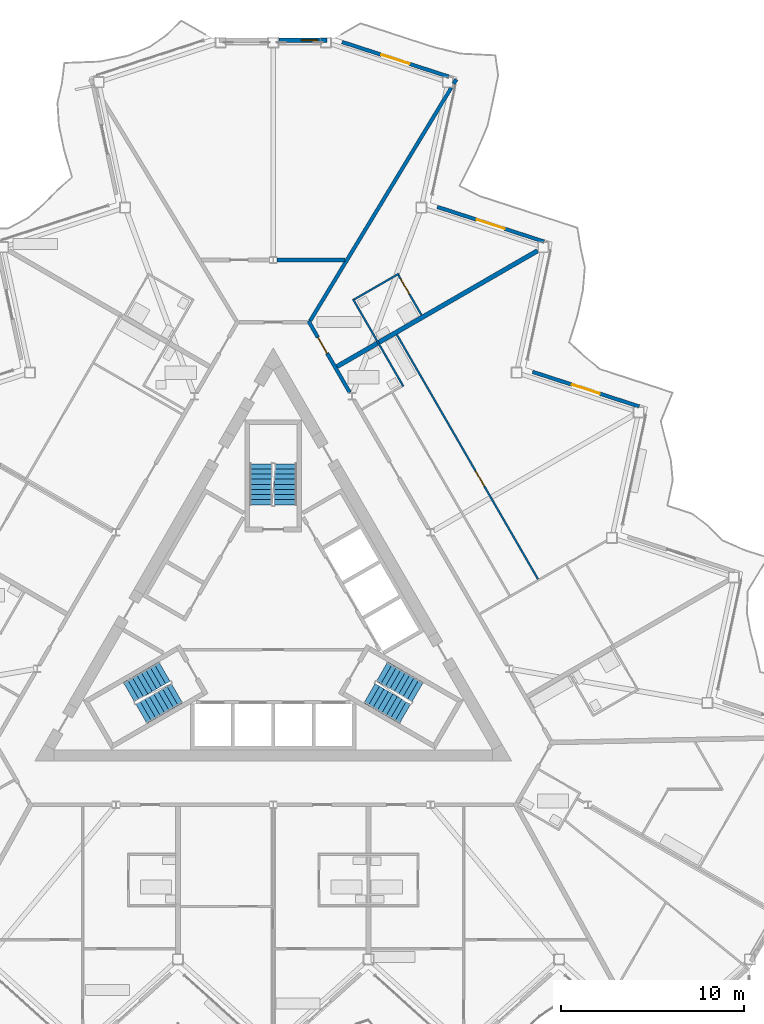
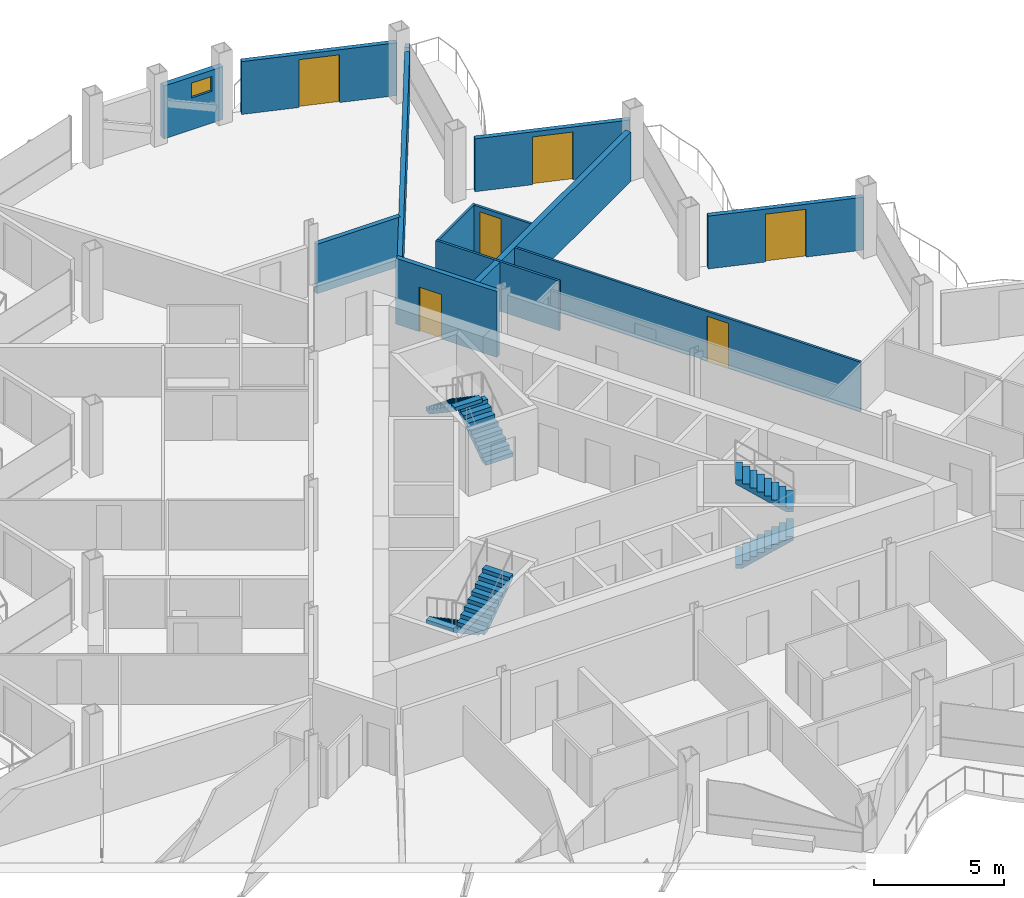
# One storey, part 19 of 27: 13 walls, 6 doors, 6 stair flights, 1 window, 7 openings, 3 elements without a shape of their own.
"""IFC4 building model written with IfcOpenShell, lengths in metres."""

from ifc_helpers import new_model, si_unit, direction, frame, frame_2d, origin, place, context, subcontext, project, spatial, polyline, rectangle, outline, extrude, material, layer, layer_set, type_object, element, fill, aggregate, save


model = new_model("IFC4")

# Units and contexts
model_context = context("Model", 3, precision=1e-05, world=origin(), true_north=direction((0.0, 1.0)))
body_context = subcontext(model_context, "Body", "Model", "MODEL_VIEW")
ifc_project = project(units=[si_unit("LENGTHUNIT", "METRE"), si_unit("AREAUNIT", "SQUARE_METRE"), si_unit("VOLUMEUNIT", "CUBIC_METRE"), si_unit("PLANEANGLEUNIT", "RADIAN"), si_unit("MASSUNIT", "GRAM", prefix="KILO")], contexts=[model_context])

# Site, building, storey
site_placement = place(None, origin())
site = spatial("IfcSite", under=ifc_project, at=site_placement, CompositionType="ELEMENT")
building_placement = place(site_placement, origin())
building = spatial("IfcBuilding", under=site, at=building_placement, Name="Cormorant Prow Tower", CompositionType="ELEMENT")
storey_placement = place(building_placement, frame((0.0, 0.0, 318.800048828125)))
storey = spatial("IfcBuildingStorey", under=building, at=storey_placement, Name="L70", CompositionType="ELEMENT", Elevation=318.800048828125)

# Wall, opening, door
ifc_material_1 = material(Name="Gypsum board corridor wall")
ifc_layer_1 = layer(ifc_material_1, 0.199951171875)
ifc_layer_set_1 = layer_set([ifc_layer_1], Name="Gypsum board corridor wall")
wall_type_1 = type_object("IfcWallType", Name="Corridor wall 200", PredefinedType="PARTITIONING", material=ifc_layer_set_1)
wall_1_placement = place(storey_placement, frame((1.9130859375, 16.497802734375, 0.0), z_axis=(0.0, 0.0, 1.0), x_axis=(0.499950370306, -0.866054055606, 0.0)))
wall_1 = element("IfcWall", 1, at=wall_1_placement, inside=storey, type_object=wall_type_1, Name="Corridor wall", PredefinedType="PARTITIONING", context=body_context, shape_type="SweptSolid", body=[
    extrude(rectangle(XDim=4.5126953125, YDim=0.199951171875, at=frame_2d((2.25634765625, 0.0))), origin(), (0.0, 0.0, 1.0), 3.099853515625),
])
opening_1_placement = place(wall_1_placement, frame((1.053466796875, 0.0, 0.0)))
opening_1 = element("IfcOpeningElement", 2, at=opening_1_placement, cuts=wall_1, Name="Opening L70-F31", PredefinedType="OPENING", context=body_context, shape_type="SweptSolid", body=[
    extrude(rectangle(XDim=1.0, YDim=2.10009765625, at=frame_2d((0.5, 1.050048828125))), frame((0.0, 0.10986328125, 0.0), z_axis=(0.0, -1.0, 0.0), x_axis=(1.0, 0.0, 0.0)), (0.0, 0.0, 1.0), 0.219970703125),
])
ifc_material_2 = material(Name="Timber door leaf", Category="wood")
door_type_1 = type_object("IfcDoorType", Name="Flat or room entrance door 1000x2100", OperationType="NOTDEFINED", PredefinedType="DOOR", material=ifc_material_2)
door_1_placement = place(opening_1_placement, origin())
door_1 = element("IfcDoor", 3, at=door_1_placement, inside=storey, type_object=door_type_1, Name="Studio living, kitchen and sleeping room door", OperationType="SINGLE_SWING_RIGHT", OverallHeight=2.10009765625, OverallWidth=1.0, PredefinedType="DOOR", context=body_context, shape_type="SweptSolid", body=[
    extrude(rectangle(XDim=1.0, YDim=2.10009765625, at=frame_2d((0.5, 1.050048828125))), frame((0.0, 0.02490234375, 0.0), z_axis=(0.0, -1.0, 0.0), x_axis=(1.0, 0.0, 0.0)), (0.0, 0.0, 1.0), 0.050048828125),
])
fill(opening_1, door_1)

# Walls
ifc_material_3 = material(Name="Gypsum board demising wall")
ifc_layer_2 = layer(ifc_material_3, 0.199951171875)
ifc_layer_set_2 = layer_set([ifc_layer_2], Name="Gypsum board demising wall")
wall_type_2 = type_object("IfcWallType", Name="Demising wall 200", PredefinedType="PARTITIONING", material=ifc_layer_set_2)
wall_2_placement = place(storey_placement, frame((2.014892578125, 16.49658203125, 0.0), z_axis=(0.0, 0.0, 1.0), x_axis=(0.517779253395, 0.855514257482, 0.0)))
element("IfcWall", 4, at=wall_2_placement, inside=storey, type_object=wall_type_2, Name="Demising wall", PredefinedType="PARTITIONING", context=body_context, shape_type="SweptSolid", body=[
    extrude(rectangle(XDim=14.853759765625, YDim=0.199951171875, at=frame_2d((7.4267578125, 0.0))), origin(), (0.0, 0.0, 1.0), 2.330078125),
])
wall_3_placement = place(storey_placement, frame((0.207763671875, 19.81103515625, 0.0), z_axis=(0.0, 0.0, 1.0), x_axis=(1.0, 0.0, 0.0)))
element("IfcWall", 5, at=wall_3_placement, inside=storey, type_object=wall_type_2, Name="Demising wall", PredefinedType="PARTITIONING", context=body_context, shape_type="SweptSolid", body=[
    extrude(rectangle(XDim=3.71826171875, YDim=0.199951171875, at=frame_2d((1.859130859375, 0.0))), origin(), (0.0, 0.0, 1.0), 2.330078125),
])
wall_4_placement = place(storey_placement, frame((9.83740234375, 29.421630859375, 0.0), z_axis=(0.0, 0.0, 1.0), x_axis=(0.517419338909, 0.855731983581, 0.0)))
element("IfcWall", 6, at=wall_4_placement, inside=storey, type_object=wall_type_2, Name="Demising wall", PredefinedType="PARTITIONING", context=body_context, shape_type="SweptSolid", body=[
    extrude(rectangle(XDim=0.2822265625, YDim=0.199951171875, at=frame_2d((0.14111328125, 0.0))), origin(), (0.0, 0.0, 1.0), 2.330078125),
])

# Wall, opening, door
ifc_material_4 = material(Name="Gypsum board partition")
ifc_layer_3 = layer(ifc_material_4, 0.10009765625)
ifc_layer_set_3 = layer_set([ifc_layer_3], Name="Gypsum board partition")
wall_type_3 = type_object("IfcWallType", Name="Internal partition 100", PredefinedType="PARTITIONING", material=ifc_layer_set_3)
wall_5_placement = place(storey_placement, frame((6.73974609375, 15.7392578125, 0.0), z_axis=(0.0, 0.0, 1.0), x_axis=(0.499995022685, -0.86602827742, 0.0)))
wall_5 = element("IfcWall", 7, at=wall_5_placement, inside=storey, type_object=wall_type_3, Name="Internal partition", PredefinedType="PARTITIONING", context=body_context, shape_type="SweptSolid", body=[
    extrude(rectangle(XDim=15.403564453125, YDim=0.10009765625, at=frame_2d((7.70166015625, 0.0))), origin(), (0.0, 0.0, 1.0), 2.330078125),
])
opening_2_placement = place(wall_5_placement, frame((8.58203125, 0.0, 0.0)))
opening_2 = element("IfcOpeningElement", 8, at=opening_2_placement, cuts=wall_5, Name="Opening L70-F28", PredefinedType="OPENING", context=body_context, shape_type="SweptSolid", body=[
    extrude(rectangle(XDim=0.949951171875, YDim=2.10009765625, at=frame_2d((0.47509765625, 1.050048828125))), frame((0.0, 0.06005859375, 0.0), z_axis=(0.0, -1.0, 0.0), x_axis=(1.0, 0.0, 0.0)), (0.0, 0.0, 1.0), 0.1201171875),
])
ifc_material_5 = material(Name="Timber door leaf", Category="wood")
door_type_2 = type_object("IfcDoorType", Name="Bathroom door 950x2100", OperationType="NOTDEFINED", PredefinedType="DOOR", material=ifc_material_5)
door_2_placement = place(opening_2_placement, origin())
door_2 = element("IfcDoor", 9, at=door_2_placement, inside=storey, type_object=door_type_2, Name="Kitchen door", OperationType="SINGLE_SWING_LEFT", OverallHeight=2.10009765625, OverallWidth=0.949951171875, PredefinedType="DOOR", context=body_context, shape_type="SweptSolid", body=[
    extrude(rectangle(XDim=0.949951171875, YDim=2.10009765625, at=frame_2d((0.47509765625, 1.050048828125))), frame((0.0, 0.02490234375, 0.0), z_axis=(0.0, -1.0, 0.0), x_axis=(1.0, 0.0, 0.0)), (0.0, 0.0, 1.0), 0.050048828125),
])
fill(opening_2, door_2)

# Walls
wall_6_placement = place(storey_placement, frame((4.348876953125, 17.6787109375, 0.0), z_axis=(0.0, 0.0, 1.0), x_axis=(0.49997732567, -0.866038494419, 0.0)))
element("IfcWall", 10, at=wall_6_placement, inside=storey, type_object=wall_type_3, Name="Internal partition", PredefinedType="PARTITIONING", context=body_context, shape_type="SweptSolid", body=[
    extrude(rectangle(XDim=5.500244140625, YDim=0.10009765625, at=frame_2d((2.75, 0.0))), origin(), (0.0, 0.0, 1.0), 2.330078125),
])
wall_7_placement = place(storey_placement, frame((4.417236328125, 17.660400390625, 0.0), z_axis=(0.0, 0.0, 1.0), x_axis=(0.866034573852, 0.49998411664, 0.0)))
element("IfcWall", 11, at=wall_7_placement, inside=storey, type_object=wall_type_3, Name="Internal partition", PredefinedType="PARTITIONING", context=body_context, shape_type="SweptSolid", body=[
    extrude(rectangle(XDim=2.7998046875, YDim=0.10009765625, at=frame_2d((1.39990234375, 0.0))), origin(), (0.0, 0.0, 1.0), 2.330078125),
])

# Wall, opening, door
wall_8_placement = place(storey_placement, frame((6.82373046875, 18.991943359375, 0.0), z_axis=(0.0, 0.0, 1.0), x_axis=(0.50001820224, -0.866014894461, 0.0)))
wall_8 = element("IfcWall", 12, at=wall_8_placement, inside=storey, type_object=wall_type_3, Name="Internal partition", PredefinedType="PARTITIONING", context=body_context, shape_type="SweptSolid", body=[
    extrude(rectangle(XDim=2.52490234375, YDim=0.10009765625, at=frame_2d((1.262451171875, 0.0))), origin(), (0.0, 0.0, 1.0), 2.330078125),
])
opening_3_placement = place(wall_8_placement, frame((0.25, 0.0, 0.0)))
opening_3 = element("IfcOpeningElement", 13, at=opening_3_placement, cuts=wall_8, Name="Opening L70-F32", PredefinedType="OPENING", context=body_context, shape_type="SweptSolid", body=[
    extrude(rectangle(XDim=0.949951171875, YDim=2.10009765625, at=frame_2d((0.47509765625, 1.050048828125))), frame((0.0, 0.06005859375, 0.0), z_axis=(0.0, -1.0, 0.0), x_axis=(1.0, 0.0, 0.0)), (0.0, 0.0, 1.0), 0.1201171875),
])
door_3_placement = place(opening_3_placement, origin())
door_3 = element("IfcDoor", 14, at=door_3_placement, inside=storey, type_object=door_type_2, Name="Studio living, kitchen and sleeping room door", OperationType="SINGLE_SWING_LEFT", OverallHeight=2.10009765625, OverallWidth=0.949951171875, PredefinedType="DOOR", context=body_context, shape_type="SweptSolid", body=[
    extrude(rectangle(XDim=0.949951171875, YDim=2.10009765625, at=frame_2d((0.47509765625, 1.050048828125))), frame((0.0, 0.02490234375, 0.0), z_axis=(0.0, -1.0, 0.0), x_axis=(1.0, 0.0, 0.0)), (0.0, 0.0, 1.0), 0.050048828125),
])
fill(opening_3, door_3)

# Wall
ifc_material_6 = material(Name="Acoustic gypsum party wall")
ifc_layer_4 = layer(ifc_material_6, 0.25)
ifc_layer_set_4 = layer_set([ifc_layer_4], Name="Acoustic gypsum party wall")
wall_type_4 = type_object("IfcWallType", Name="Suite party wall 250", PredefinedType="PARTITIONING", material=ifc_layer_set_4)
wall_9_placement = place(storey_placement, frame((3.47216796875, 13.9970703125, 0.0), z_axis=(0.0, 0.0, 1.0), x_axis=(0.866029233976, 0.499993365855, 0.0)))
element("IfcWall", 15, at=wall_9_placement, inside=storey, type_object=wall_type_4, Name="Suite party wall", PredefinedType="PARTITIONING", context=body_context, shape_type="SweptSolid", body=[
    extrude(rectangle(XDim=12.637451171875, YDim=0.25, at=frame_2d((6.31884765625, 0.0))), origin(), (0.0, 0.0, 1.0), 2.330078125),
])

# Wall, opening, window
ifc_material_7 = material(Name="Terracotta", Category="masonry")
ifc_layer_5 = layer(ifc_material_7, 0.25)
ifc_layer_set_5 = layer_set([ifc_layer_5], Name="Terracotta")
wall_type_5 = type_object("IfcWallType", Name="Terracotta bay wall 250", PredefinedType="SOLIDWALL", material=ifc_layer_set_5)
wall_10_placement = place(storey_placement, frame((2.940185546875, 31.803955078125, 0.0), z_axis=(0.0, 0.0, 1.0), x_axis=(-1.0, 0.0, 0.0)))
wall_10 = element("IfcWall", 16, at=wall_10_placement, inside=storey, type_object=wall_type_5, Name="Terracotta bay wall N00", PredefinedType="SOLIDWALL", context=body_context, shape_type="SweptSolid", body=[
    extrude(rectangle(XDim=2.64013671875, YDim=0.25, at=frame_2d((1.320068359375, 0.0))), origin(), (0.0, 0.0, 1.0), 2.48779296875),
])
opening_4_placement = place(wall_10_placement, frame((0.5, 0.0, 1.5)))
opening_4 = element("IfcOpeningElement", 17, at=opening_4_placement, cuts=wall_10, Name="Opening WN8", PredefinedType="OPENING", context=body_context, shape_type="SweptSolid", body=[
    extrude(rectangle(XDim=0.89990234375, YDim=0.699951171875, at=frame_2d((0.449951171875, 0.35009765625))), frame((0.0, 0.135009765625, 0.0), z_axis=(0.0, -1.0, 0.0), x_axis=(1.0, 0.0, 0.0)), (0.0, 0.0, 1.0), 0.27001953125),
])
ifc_material_8 = material(Name="Aluminium 6063-T6", Category="aluminium")
window_type = type_object("IfcWindowType", Name="Corner bay window 900x700", PartitioningType="SINGLE_PANEL", PredefinedType="WINDOW", material=ifc_material_8)
window_placement = place(opening_4_placement, origin())
window = element("IfcWindow", 18, at=window_placement, inside=storey, type_object=window_type, Name="Corner bay window N00", OverallHeight=0.699951171875, OverallWidth=0.89990234375, PartitioningType="SINGLE_PANEL", PredefinedType="WINDOW", context=body_context, shape_type="SweptSolid", body=[
    extrude(rectangle(XDim=0.89990234375, YDim=0.699951171875, at=frame_2d((0.449951171875, 0.35009765625))), frame((0.0, 0.030029296875, 0.0), z_axis=(0.0, -1.0, 0.0), x_axis=(1.0, 0.0, 0.0)), (0.0, 0.0, 1.0), 0.06005859375),
])
fill(opening_4, window)

# Wall, opening, door
ifc_material_9 = material(Name="Terracotta", Category="masonry")
ifc_layer_6 = layer(ifc_material_9, 0.199951171875)
ifc_layer_set_6 = layer_set([ifc_layer_6], Name="Terracotta")
wall_type_6 = type_object("IfcWallType", Name="Terracotta jamb wall 200", PredefinedType="SOLIDWALL", material=ifc_layer_set_6)
wall_11_placement = place(storey_placement, frame((19.961669921875, 11.820068359375, 0.0), z_axis=(0.0, 0.0, 1.0), x_axis=(-0.951053709789, 0.309025631781, 0.0)))
wall_11 = element("IfcWall", 19, at=wall_11_placement, inside=storey, type_object=wall_type_6, Name="Terracotta jamb wall ENE05", PredefinedType="SOLIDWALL", context=body_context, shape_type="SweptSolid", body=[
    extrude(rectangle(XDim=6.11962890625, YDim=0.199951171875, at=frame_2d((3.059814453125, 0.0))), origin(), (0.0, 0.0, 1.0), 2.48779296875),
])
opening_5_placement = place(wall_11_placement, frame((2.259765625, 0.0, 0.0)))
opening_5 = element("IfcOpeningElement", 20, at=opening_5_placement, cuts=wall_11, Name="Opening ED70.08", PredefinedType="OPENING", context=body_context, shape_type="SweptSolid", body=[
    extrude(rectangle(XDim=1.60009765625, YDim=2.25, at=frame_2d((0.800048828125, 1.125))), frame((0.0, 0.10986328125, 0.0), z_axis=(0.0, -1.0, 0.0), x_axis=(1.0, 0.0, 0.0)), (0.0, 0.0, 1.0), 0.219970703125),
])
ifc_material_10 = material(Name="Aluminium 6063-T6", Category="aluminium")
door_type_3 = type_object("IfcDoorType", Name="Balcony door 1600x2250", OperationType="DOUBLE_DOOR_SINGLE_SWING", PredefinedType="DOOR", material=ifc_material_10)
door_4_placement = place(opening_5_placement, origin())
door_4 = element("IfcDoor", 21, at=door_4_placement, inside=storey, type_object=door_type_3, Name="Balcony door ENE05 ED70.08", OperationType="DOUBLE_DOOR_SINGLE_SWING", OverallHeight=2.25, OverallWidth=1.60009765625, PredefinedType="DOOR", context=body_context, shape_type="SweptSolid", body=[
    extrude(rectangle(XDim=1.60009765625, YDim=2.25, at=frame_2d((0.800048828125, 1.125))), frame((0.0, 0.02490234375, 0.0), z_axis=(0.0, -1.0, 0.0), x_axis=(1.0, 0.0, 0.0)), (0.0, 0.0, 1.0), 0.050048828125),
])
fill(opening_5, door_4)

wall_12_placement = place(storey_placement, frame((14.76904296875, 20.814453125, 0.0), z_axis=(0.0, 0.0, 1.0), x_axis=(-0.951069243123, 0.308977822483, 0.0)))
wall_12 = element("IfcWall", 22, at=wall_12_placement, inside=storey, type_object=wall_type_6, Name="Terracotta jamb wall ENE07", PredefinedType="SOLIDWALL", context=body_context, shape_type="SweptSolid", body=[
    extrude(rectangle(XDim=6.119873046875, YDim=0.199951171875, at=frame_2d((3.06005859375, 0.0))), origin(), (0.0, 0.0, 1.0), 2.48779296875),
])
opening_6_placement = place(wall_12_placement, frame((2.259765625, 0.0, 0.0)))
opening_6 = element("IfcOpeningElement", 23, at=opening_6_placement, cuts=wall_12, Name="Opening ED70.09", PredefinedType="OPENING", context=body_context, shape_type="SweptSolid", body=[
    extrude(rectangle(XDim=1.60009765625, YDim=2.25, at=frame_2d((0.800048828125, 1.125))), frame((0.0, 0.10986328125, 0.0), z_axis=(0.0, -1.0, 0.0), x_axis=(1.0, 0.0, 0.0)), (0.0, 0.0, 1.0), 0.219970703125),
])
door_5_placement = place(opening_6_placement, origin())
door_5 = element("IfcDoor", 24, at=door_5_placement, inside=storey, type_object=door_type_3, Name="Balcony door ENE07 ED70.09", OperationType="DOUBLE_DOOR_SINGLE_SWING", OverallHeight=2.25, OverallWidth=1.60009765625, PredefinedType="DOOR", context=body_context, shape_type="SweptSolid", body=[
    extrude(rectangle(XDim=1.60009765625, YDim=2.25, at=frame_2d((0.800048828125, 1.125))), frame((0.0, 0.02490234375, 0.0), z_axis=(0.0, -1.0, 0.0), x_axis=(1.0, 0.0, 0.0)), (0.0, 0.0, 1.0), 0.050048828125),
])
fill(opening_6, door_5)

wall_13_placement = place(storey_placement, frame((9.576171875, 29.80859375, 0.0), z_axis=(0.0, 0.0, 1.0), x_axis=(-0.951053709789, 0.309025631781, 0.0)))
wall_13 = element("IfcWall", 25, at=wall_13_placement, inside=storey, type_object=wall_type_6, Name="Terracotta jamb wall ENE09", PredefinedType="SOLIDWALL", context=body_context, shape_type="SweptSolid", body=[
    extrude(rectangle(XDim=6.11962890625, YDim=0.199951171875, at=frame_2d((3.059814453125, 0.0))), origin(), (0.0, 0.0, 1.0), 2.48779296875),
])
opening_7_placement = place(wall_13_placement, frame((2.259765625, 0.0, 0.0)))
opening_7 = element("IfcOpeningElement", 26, at=opening_7_placement, cuts=wall_13, Name="Opening ED70.10", PredefinedType="OPENING", context=body_context, shape_type="SweptSolid", body=[
    extrude(rectangle(XDim=1.60009765625, YDim=2.25, at=frame_2d((0.800048828125, 1.125))), frame((0.0, 0.10986328125, 0.0), z_axis=(0.0, -1.0, 0.0), x_axis=(1.0, 0.0, 0.0)), (0.0, 0.0, 1.0), 0.219970703125),
])
door_6_placement = place(opening_7_placement, origin())
door_6 = element("IfcDoor", 27, at=door_6_placement, inside=storey, type_object=door_type_3, Name="Balcony door ENE09 ED70.10", OperationType="DOUBLE_DOOR_SINGLE_SWING", OverallHeight=2.25, OverallWidth=1.60009765625, PredefinedType="DOOR", context=body_context, shape_type="SweptSolid", body=[
    extrude(rectangle(XDim=1.60009765625, YDim=2.25, at=frame_2d((0.800048828125, 1.125))), frame((0.0, 0.02490234375, 0.0), z_axis=(0.0, -1.0, 0.0), x_axis=(1.0, 0.0, 0.0)), (0.0, 0.0, 1.0), 0.050048828125),
])
fill(opening_7, door_6)

# Stair, stair flights
ifc_material_11 = material(Name="Exit stair 18 risers")
stair_type = type_object("IfcStairType", Name="Exit stair 18 risers", PredefinedType="HALF_TURN_STAIR", material=ifc_material_11)
stair_1_placement = place(storey_placement, origin())
stair_1 = element("IfcStair", 28, at=stair_1_placement, inside=storey, type_object=stair_type, Name="L70 Exit stair ST1", PredefinedType="HALF_TURN_STAIR")
ifc_material_12 = material(Name="Concrete 5000 psi", Category="concrete")
stair_flight_type = type_object("IfcStairFlightType", Name="Stair flight 1219", PredefinedType="STRAIGHT", material=ifc_material_12)
stair_flight_1_placement = place(storey_placement, frame((-5.93310546875, -2.635009765625, 0.0), z_axis=(0.0, 0.0, 1.0), x_axis=(-0.866025403784, -0.5, 0.0)))
stair_flight_1 = element("IfcStairFlight", 29, at=stair_flight_1_placement, type_object=stair_flight_type, Name="ST1 flight 1", NumberOfRisers=9, NumberOfTreads=8, PredefinedType="STRAIGHT", RiserHeight=0.188888889, TreadLength=0.28, context=body_context, shape_type="SweptSolid", body=[
    extrude(outline(polyline([(0.0, 0.0), (0.0, 0.18896484375), (0.280029296875, 0.18896484375), (0.280029296875, 0.377685546875), (0.56005859375, 0.377685546875), (0.56005859375, 0.566650390625), (0.840087890625, 0.566650390625), (0.840087890625, 0.755615234375), (1.1201171875, 0.755615234375), (1.1201171875, 0.9443359375), (1.39990234375, 0.9443359375), (1.39990234375, 1.13330078125), (1.679931640625, 1.13330078125), (1.679931640625, 1.322265625), (1.9599609375, 1.322265625), (1.9599609375, 1.51123046875), (2.239990234375, 1.51123046875), (2.239990234375, 1.699951171875), (2.239990234375, 1.330322265625), (0.26806640625, 0.0), (0.0, 0.0)])), frame((0.0, 0.609375, 0.0), z_axis=(0.0, -1.0, 0.0), x_axis=(1.0, 0.0, 0.0)), (0.0, 0.0, 1.0), 1.218994140625),
])
stair_flight_2_placement = place(storey_placement, frame((-7.1884765625, -4.940673828125, 1.699951171875), z_axis=(0.0, 0.0, 1.0), x_axis=(0.866025403784, 0.5, 0.0)))
stair_flight_2 = element("IfcStairFlight", 30, at=stair_flight_2_placement, type_object=stair_flight_type, Name="ST1 flight 2", NumberOfRisers=9, NumberOfTreads=8, PredefinedType="STRAIGHT", RiserHeight=0.188888889, TreadLength=0.28, context=body_context, shape_type="SweptSolid", body=[
    extrude(outline(polyline([(0.0, 0.0), (0.0, 0.18896484375), (0.280029296875, 0.18896484375), (0.280029296875, 0.377685546875), (0.56005859375, 0.377685546875), (0.56005859375, 0.566650390625), (0.840087890625, 0.566650390625), (0.840087890625, 0.755615234375), (1.1201171875, 0.755615234375), (1.1201171875, 0.9443359375), (1.39990234375, 0.9443359375), (1.39990234375, 1.13330078125), (1.679931640625, 1.13330078125), (1.679931640625, 1.322265625), (1.9599609375, 1.322265625), (1.9599609375, 1.51123046875), (2.239990234375, 1.51123046875), (2.239990234375, 1.699951171875), (2.239990234375, 1.330322265625), (0.26806640625, 0.0), (0.0, 0.0)])), frame((0.0, 0.609375, 0.0), z_axis=(0.0, -1.0, 0.0), x_axis=(1.0, 0.0, 0.0)), (0.0, 0.0, 1.0), 1.218994140625),
])
aggregate(stair_1, [stair_flight_1, stair_flight_2])

stair_2_placement = place(storey_placement, origin())
stair_2 = element("IfcStair", 31, at=stair_2_placement, inside=storey, type_object=stair_type, Name="L70 Exit stair ST2", PredefinedType="HALF_TURN_STAIR")
stair_flight_3_placement = place(storey_placement, frame((5.24853515625, -3.82080078125, 0.0), z_axis=(0.0, 0.0, 1.0), x_axis=(0.866025403784, -0.5, 0.0)))
stair_flight_3 = element("IfcStairFlight", 32, at=stair_flight_3_placement, type_object=stair_flight_type, Name="ST2 flight 1", NumberOfRisers=9, NumberOfTreads=8, PredefinedType="STRAIGHT", RiserHeight=0.188888889, TreadLength=0.28, context=body_context, shape_type="SweptSolid", body=[
    extrude(outline(polyline([(0.0, 0.0), (0.0, 0.18896484375), (0.280029296875, 0.18896484375), (0.280029296875, 0.377685546875), (0.56005859375, 0.377685546875), (0.56005859375, 0.566650390625), (0.840087890625, 0.566650390625), (0.840087890625, 0.755615234375), (1.1201171875, 0.755615234375), (1.1201171875, 0.9443359375), (1.39990234375, 0.9443359375), (1.39990234375, 1.13330078125), (1.679931640625, 1.13330078125), (1.679931640625, 1.322265625), (1.9599609375, 1.322265625), (1.9599609375, 1.51123046875), (2.239990234375, 1.51123046875), (2.239990234375, 1.699951171875), (2.239990234375, 1.330322265625), (0.26806640625, 0.0), (0.0, 0.0)])), frame((0.0, 0.609375, 0.0), z_axis=(0.0, -1.0, 0.0), x_axis=(1.0, 0.0, 0.0)), (0.0, 0.0, 1.0), 1.218994140625),
])
stair_flight_4_placement = place(storey_placement, frame((7.873046875, -3.755126953125, 1.699951171875), z_axis=(0.0, 0.0, 1.0), x_axis=(-0.866025403784, 0.5, 0.0)))
stair_flight_4 = element("IfcStairFlight", 33, at=stair_flight_4_placement, type_object=stair_flight_type, Name="ST2 flight 2", NumberOfRisers=9, NumberOfTreads=8, PredefinedType="STRAIGHT", RiserHeight=0.188888889, TreadLength=0.28, context=body_context, shape_type="SweptSolid", body=[
    extrude(outline(polyline([(0.0, 0.0), (0.0, 0.18896484375), (0.280029296875, 0.18896484375), (0.280029296875, 0.377685546875), (0.56005859375, 0.377685546875), (0.56005859375, 0.566650390625), (0.840087890625, 0.566650390625), (0.840087890625, 0.755615234375), (1.1201171875, 0.755615234375), (1.1201171875, 0.9443359375), (1.39990234375, 0.9443359375), (1.39990234375, 1.13330078125), (1.679931640625, 1.13330078125), (1.679931640625, 1.322265625), (1.9599609375, 1.322265625), (1.9599609375, 1.51123046875), (2.239990234375, 1.51123046875), (2.239990234375, 1.699951171875), (2.239990234375, 1.330322265625), (0.26806640625, 0.0), (0.0, 0.0)])), frame((0.0, 0.609375, 0.0), z_axis=(0.0, -1.0, 0.0), x_axis=(1.0, 0.0, 0.0)), (0.0, 0.0, 1.0), 1.218994140625),
])
aggregate(stair_2, [stair_flight_3, stair_flight_4])

stair_3_placement = place(storey_placement, origin())
stair_3 = element("IfcStair", 34, at=stair_3_placement, inside=storey, type_object=stair_type, Name="L70 Exit stair ST3", PredefinedType="HALF_TURN_STAIR")
stair_flight_5_placement = place(storey_placement, frame((0.6845703125, 6.455810546875, 0.0), z_axis=(0.0, 0.0, 1.0), x_axis=(0.0, 1.0, 0.0)))
stair_flight_5 = element("IfcStairFlight", 35, at=stair_flight_5_placement, type_object=stair_flight_type, Name="ST3 flight 1", NumberOfRisers=9, NumberOfTreads=8, PredefinedType="STRAIGHT", RiserHeight=0.188888889, TreadLength=0.28, context=body_context, shape_type="SweptSolid", body=[
    extrude(outline(polyline([(0.0, 0.0), (0.0, 0.18896484375), (0.280029296875, 0.18896484375), (0.280029296875, 0.377685546875), (0.56005859375, 0.377685546875), (0.56005859375, 0.566650390625), (0.840087890625, 0.566650390625), (0.840087890625, 0.755615234375), (1.1201171875, 0.755615234375), (1.1201171875, 0.9443359375), (1.39990234375, 0.9443359375), (1.39990234375, 1.13330078125), (1.679931640625, 1.13330078125), (1.679931640625, 1.322265625), (1.9599609375, 1.322265625), (1.9599609375, 1.51123046875), (2.239990234375, 1.51123046875), (2.239990234375, 1.699951171875), (2.239990234375, 1.330322265625), (0.26806640625, 0.0), (0.0, 0.0)])), frame((0.0, 0.609375, 0.0), z_axis=(0.0, -1.0, 0.0), x_axis=(1.0, 0.0, 0.0)), (0.0, 0.0, 1.0), 1.218994140625),
])
stair_flight_6_placement = place(storey_placement, frame((-0.6845703125, 8.69580078125, 1.699951171875), z_axis=(0.0, 0.0, 1.0), x_axis=(0.0, -1.0, 0.0)))
stair_flight_6 = element("IfcStairFlight", 36, at=stair_flight_6_placement, type_object=stair_flight_type, Name="ST3 flight 2", NumberOfRisers=9, NumberOfTreads=8, PredefinedType="STRAIGHT", RiserHeight=0.188888889, TreadLength=0.28, context=body_context, shape_type="SweptSolid", body=[
    extrude(outline(polyline([(0.0, 0.0), (0.0, 0.18896484375), (0.280029296875, 0.18896484375), (0.280029296875, 0.377685546875), (0.56005859375, 0.377685546875), (0.56005859375, 0.566650390625), (0.840087890625, 0.566650390625), (0.840087890625, 0.755615234375), (1.1201171875, 0.755615234375), (1.1201171875, 0.9443359375), (1.39990234375, 0.9443359375), (1.39990234375, 1.13330078125), (1.679931640625, 1.13330078125), (1.679931640625, 1.322265625), (1.9599609375, 1.322265625), (1.9599609375, 1.51123046875), (2.239990234375, 1.51123046875), (2.239990234375, 1.699951171875), (2.239990234375, 1.330322265625), (0.26806640625, 0.0), (0.0, 0.0)])), frame((0.0, 0.609375, 0.0), z_axis=(0.0, -1.0, 0.0), x_axis=(1.0, 0.0, 0.0)), (0.0, 0.0, 1.0), 1.218994140625),
])
aggregate(stair_3, [stair_flight_5, stair_flight_6])

save(model, "model.ifc")
